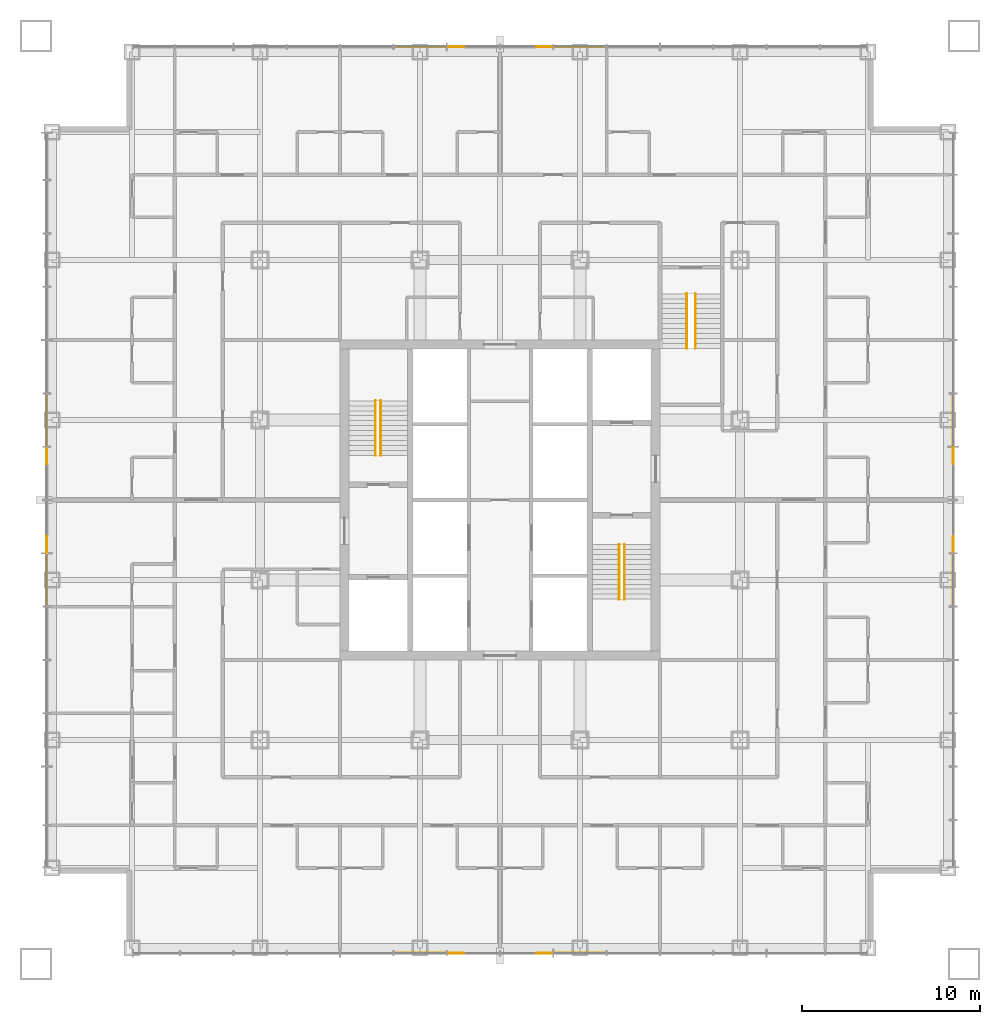
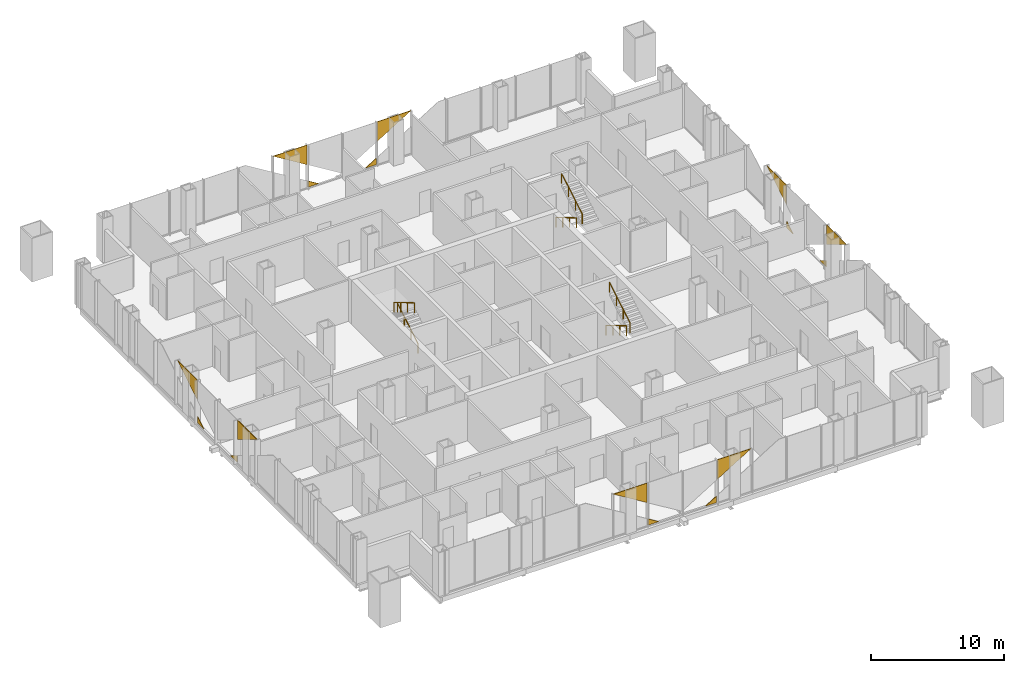
# One storey, part 13 of 13: 16 coverings, 6 railings.
"""IFC4 building model written with IfcOpenShell, lengths in metres."""

from ifc_helpers import new_model, si_unit, direction, frame, origin, origin_2d, place, context, subcontext, project, spatial, polyline, circle, outline, extrude, material, layer, layer_set, type_object, element, save


model = new_model("IFC4")

# Units and contexts
model_context = context("Model", 3, precision=1e-05, world=origin(), true_north=direction((0.0, 1.0)))
body_context = subcontext(model_context, "Body", "Model", "MODEL_VIEW")
ifc_project = project(units=[si_unit("LENGTHUNIT", "METRE"), si_unit("AREAUNIT", "SQUARE_METRE"), si_unit("VOLUMEUNIT", "CUBIC_METRE"), si_unit("PLANEANGLEUNIT", "RADIAN"), si_unit("MASSUNIT", "GRAM", prefix="KILO")], contexts=[model_context])

# Site, building, storey
site_placement = place(None, origin())
site = spatial("IfcSite", under=ifc_project, at=site_placement, CompositionType="ELEMENT")
building_placement = place(site_placement, origin())
building = spatial("IfcBuilding", under=site, at=building_placement, Name="Malebo Sky Hospital", CompositionType="ELEMENT")
storey_placement = place(building_placement, frame((0.0, 0.0, 47.0)))
storey = spatial("IfcBuildingStorey", under=building, at=storey_placement, Name="L10", CompositionType="ELEMENT", Elevation=47.0)

# Coverings
ifc_material_1 = material(Name="Anodised aluminium, natural silver insulated infill panel", Category="aluminium")
ifc_layer = layer(ifc_material_1, 0.0400390625)
ifc_layer_set = layer_set([ifc_layer], Name="BRACE INFILL PANEL 40")
covering_type = type_object("IfcCoveringType", Name="BRACE INFILL PANEL 40", PredefinedType="CLADDING", material=ifc_layer_set)
covering_1_placement = place(storey_placement, frame((55.5, 87.5, 2.19580078125), z_axis=(0.0, 0.0, 1.0), x_axis=(1.0, 0.0, 0.0)))
element("IfcCovering", 1, at=covering_1_placement, inside=storey, type_object=covering_type, Name="Brace infill panel 6.1", PredefinedType="CLADDING", context=body_context, shape_type="SweptSolid", body=[
    extrude(outline(polyline([(1.46240234375, 0.0), (1.46240234375, 1.794189453125), (-1.46240234375, 1.794189453125), (-1.46240234375, 1.793212890625), (1.46240234375, 0.0)])), frame((0.0, 0.02001953125, 0.0), z_axis=(0.0, -1.0, 0.0), x_axis=(1.0, 0.0, 0.0)), (0.0, 0.0, 1.0), 0.0400390625),
])
covering_2_placement = place(storey_placement, frame((57.5126953125, 87.5, 0.10009765625), z_axis=(0.0, 0.0, 1.0), x_axis=(1.0, 0.0, 0.0)))
element("IfcCovering", 2, at=covering_2_placement, inside=storey, type_object=covering_type, Name="Brace infill panel 7.1", PredefinedType="CLADDING", context=body_context, shape_type="SweptSolid", body=[
    extrude(outline(polyline([(-0.47509765625, 0.0), (0.47509765625, 0.0), (-0.47509765625, 0.58251953125), (-0.47509765625, 0.0)])), frame((0.0, 0.02001953125, 0.0), z_axis=(0.0, -1.0, 0.0), x_axis=(1.0, 0.0, 0.0)), (0.0, 0.0, 1.0), 0.0400390625),
])
covering_3_placement = place(storey_placement, frame((62.4873046875, 87.5, 0.10009765625), z_axis=(0.0, 0.0, 1.0), x_axis=(1.0, 0.0, 0.0)))
element("IfcCovering", 3, at=covering_3_placement, inside=storey, type_object=covering_type, Name="Brace infill panel 8.1", PredefinedType="CLADDING", context=body_context, shape_type="SweptSolid", body=[
    extrude(outline(polyline([(-0.47509765625, 0.0), (0.47509765625, 0.0), (0.47509765625, 0.58251953125), (-0.47509765625, 0.0)])), frame((0.0, 0.02001953125, 0.0), z_axis=(0.0, -1.0, 0.0), x_axis=(1.0, 0.0, 0.0)), (0.0, 0.0, 1.0), 0.0400390625),
])
covering_4_placement = place(storey_placement, frame((64.5, 87.5, 2.19580078125), z_axis=(0.0, 0.0, 1.0), x_axis=(1.0, 0.0, 0.0)))
element("IfcCovering", 4, at=covering_4_placement, inside=storey, type_object=covering_type, Name="Brace infill panel 9.1", PredefinedType="CLADDING", context=body_context, shape_type="SweptSolid", body=[
    extrude(outline(polyline([(-1.46240234375, 0.0), (1.46240234375, 1.793212890625), (1.46240234375, 1.794189453125), (-1.46240234375, 1.794189453125), (-1.46240234375, 0.0)])), frame((0.0, 0.02001953125, 0.0), z_axis=(0.0, -1.0, 0.0), x_axis=(1.0, 0.0, 0.0)), (0.0, 0.0, 1.0), 0.0400390625),
])
covering_5_placement = place(storey_placement, frame((34.5, 57.5, 2.19580078125), z_axis=(0.0, 0.0, 1.0), x_axis=(0.0, 1.0, 0.0)))
element("IfcCovering", 5, at=covering_5_placement, inside=storey, type_object=covering_type, Name="Brace infill panel 6.1", PredefinedType="CLADDING", context=body_context, shape_type="SweptSolid", body=[
    extrude(outline(polyline([(1.46240234375, 0.0), (1.46240234375, 1.794189453125), (-1.46240234375, 1.794189453125), (-1.46240234375, 1.793212890625), (1.46240234375, 0.0)])), frame((0.0, 0.02001953125, 0.0), z_axis=(0.0, -1.0, 0.0), x_axis=(1.0, 0.0, 0.0)), (0.0, 0.0, 1.0), 0.0400390625),
])
covering_6_placement = place(storey_placement, frame((34.5, 59.5126953125, 0.10009765625), z_axis=(0.0, 0.0, 1.0), x_axis=(0.0, 1.0, 0.0)))
element("IfcCovering", 6, at=covering_6_placement, inside=storey, type_object=covering_type, Name="Brace infill panel 7.1", PredefinedType="CLADDING", context=body_context, shape_type="SweptSolid", body=[
    extrude(outline(polyline([(-0.47509765625, 0.0), (0.47509765625, 0.0), (-0.47509765625, 0.58251953125), (-0.47509765625, 0.0)])), frame((0.0, 0.02001953125, 0.0), z_axis=(0.0, -1.0, 0.0), x_axis=(1.0, 0.0, 0.0)), (0.0, 0.0, 1.0), 0.0400390625),
])
covering_7_placement = place(storey_placement, frame((34.5, 64.4873046875, 0.10009765625), z_axis=(0.0, 0.0, 1.0), x_axis=(0.0, 1.0, 0.0)))
element("IfcCovering", 7, at=covering_7_placement, inside=storey, type_object=covering_type, Name="Brace infill panel 8.1", PredefinedType="CLADDING", context=body_context, shape_type="SweptSolid", body=[
    extrude(outline(polyline([(-0.47509765625, 0.0), (0.47509765625, 0.0), (0.47509765625, 0.58251953125), (-0.47509765625, 0.0)])), frame((0.0, 0.02001953125, 0.0), z_axis=(0.0, -1.0, 0.0), x_axis=(1.0, 0.0, 0.0)), (0.0, 0.0, 1.0), 0.0400390625),
])
covering_8_placement = place(storey_placement, frame((34.5, 66.5, 2.19580078125), z_axis=(0.0, 0.0, 1.0), x_axis=(0.0, 1.0, 0.0)))
element("IfcCovering", 8, at=covering_8_placement, inside=storey, type_object=covering_type, Name="Brace infill panel 9.1", PredefinedType="CLADDING", context=body_context, shape_type="SweptSolid", body=[
    extrude(outline(polyline([(-1.46240234375, 0.0), (1.46240234375, 1.793212890625), (1.46240234375, 1.794189453125), (-1.46240234375, 1.794189453125), (-1.46240234375, 0.0)])), frame((0.0, 0.02001953125, 0.0), z_axis=(0.0, -1.0, 0.0), x_axis=(1.0, 0.0, 0.0)), (0.0, 0.0, 1.0), 0.0400390625),
])
covering_9_placement = place(storey_placement, frame((64.5, 36.5, 2.19580078125), z_axis=(0.0, 0.0, 1.0), x_axis=(-1.0, 0.0, 0.0)))
element("IfcCovering", 9, at=covering_9_placement, inside=storey, type_object=covering_type, Name="Brace infill panel 6.1", PredefinedType="CLADDING", context=body_context, shape_type="SweptSolid", body=[
    extrude(outline(polyline([(1.46240234375, 0.0), (1.46240234375, 1.794189453125), (-1.46240234375, 1.794189453125), (-1.46240234375, 1.793212890625), (1.46240234375, 0.0)])), frame((0.0, 0.02001953125, 0.0), z_axis=(0.0, -1.0, 0.0), x_axis=(1.0, 0.0, 0.0)), (0.0, 0.0, 1.0), 0.0400390625),
])
covering_10_placement = place(storey_placement, frame((62.4873046875, 36.5, 0.10009765625), z_axis=(0.0, 0.0, 1.0), x_axis=(-1.0, 0.0, 0.0)))
element("IfcCovering", 10, at=covering_10_placement, inside=storey, type_object=covering_type, Name="Brace infill panel 7.1", PredefinedType="CLADDING", context=body_context, shape_type="SweptSolid", body=[
    extrude(outline(polyline([(-0.47509765625, 0.0), (0.47509765625, 0.0), (-0.47509765625, 0.58251953125), (-0.47509765625, 0.0)])), frame((0.0, 0.02001953125, 0.0), z_axis=(0.0, -1.0, 0.0), x_axis=(1.0, 0.0, 0.0)), (0.0, 0.0, 1.0), 0.0400390625),
])
covering_11_placement = place(storey_placement, frame((57.5126953125, 36.5, 0.10009765625), z_axis=(0.0, 0.0, 1.0), x_axis=(-1.0, 0.0, 0.0)))
element("IfcCovering", 11, at=covering_11_placement, inside=storey, type_object=covering_type, Name="Brace infill panel 8.1", PredefinedType="CLADDING", context=body_context, shape_type="SweptSolid", body=[
    extrude(outline(polyline([(-0.47509765625, 0.0), (0.47509765625, 0.0), (0.47509765625, 0.58251953125), (-0.47509765625, 0.0)])), frame((0.0, 0.02001953125, 0.0), z_axis=(0.0, -1.0, 0.0), x_axis=(1.0, 0.0, 0.0)), (0.0, 0.0, 1.0), 0.0400390625),
])
covering_12_placement = place(storey_placement, frame((55.5, 36.5, 2.19580078125), z_axis=(0.0, 0.0, 1.0), x_axis=(-1.0, 0.0, 0.0)))
element("IfcCovering", 12, at=covering_12_placement, inside=storey, type_object=covering_type, Name="Brace infill panel 9.1", PredefinedType="CLADDING", context=body_context, shape_type="SweptSolid", body=[
    extrude(outline(polyline([(-1.46240234375, 0.0), (1.46240234375, 1.793212890625), (1.46240234375, 1.794189453125), (-1.46240234375, 1.794189453125), (-1.46240234375, 0.0)])), frame((0.0, 0.02001953125, 0.0), z_axis=(0.0, -1.0, 0.0), x_axis=(1.0, 0.0, 0.0)), (0.0, 0.0, 1.0), 0.0400390625),
])
covering_13_placement = place(storey_placement, frame((85.5, 66.5, 2.19580078125), z_axis=(0.0, 0.0, 1.0), x_axis=(0.0, -1.0, 0.0)))
element("IfcCovering", 13, at=covering_13_placement, inside=storey, type_object=covering_type, Name="Brace infill panel 6.1", PredefinedType="CLADDING", context=body_context, shape_type="SweptSolid", body=[
    extrude(outline(polyline([(1.46240234375, 0.0), (1.46240234375, 1.794189453125), (-1.46240234375, 1.794189453125), (-1.46240234375, 1.793212890625), (1.46240234375, 0.0)])), frame((0.0, 0.02001953125, 0.0), z_axis=(0.0, -1.0, 0.0), x_axis=(1.0, 0.0, 0.0)), (0.0, 0.0, 1.0), 0.0400390625),
])
covering_14_placement = place(storey_placement, frame((85.5, 64.4873046875, 0.10009765625), z_axis=(0.0, 0.0, 1.0), x_axis=(0.0, -1.0, 0.0)))
element("IfcCovering", 14, at=covering_14_placement, inside=storey, type_object=covering_type, Name="Brace infill panel 7.1", PredefinedType="CLADDING", context=body_context, shape_type="SweptSolid", body=[
    extrude(outline(polyline([(-0.47509765625, 0.0), (0.47509765625, 0.0), (-0.47509765625, 0.58251953125), (-0.47509765625, 0.0)])), frame((0.0, 0.02001953125, 0.0), z_axis=(0.0, -1.0, 0.0), x_axis=(1.0, 0.0, 0.0)), (0.0, 0.0, 1.0), 0.0400390625),
])
covering_15_placement = place(storey_placement, frame((85.5, 59.5126953125, 0.10009765625), z_axis=(0.0, 0.0, 1.0), x_axis=(0.0, -1.0, 0.0)))
element("IfcCovering", 15, at=covering_15_placement, inside=storey, type_object=covering_type, Name="Brace infill panel 8.1", PredefinedType="CLADDING", context=body_context, shape_type="SweptSolid", body=[
    extrude(outline(polyline([(-0.47509765625, 0.0), (0.47509765625, 0.0), (0.47509765625, 0.58251953125), (-0.47509765625, 0.0)])), frame((0.0, 0.02001953125, 0.0), z_axis=(0.0, -1.0, 0.0), x_axis=(1.0, 0.0, 0.0)), (0.0, 0.0, 1.0), 0.0400390625),
])
covering_16_placement = place(storey_placement, frame((85.5, 57.5, 2.19580078125), z_axis=(0.0, 0.0, 1.0), x_axis=(0.0, -1.0, 0.0)))
element("IfcCovering", 16, at=covering_16_placement, inside=storey, type_object=covering_type, Name="Brace infill panel 9.1", PredefinedType="CLADDING", context=body_context, shape_type="SweptSolid", body=[
    extrude(outline(polyline([(-1.46240234375, 0.0), (1.46240234375, 1.793212890625), (1.46240234375, 1.794189453125), (-1.46240234375, 1.794189453125), (-1.46240234375, 0.0)])), frame((0.0, 0.02001953125, 0.0), z_axis=(0.0, -1.0, 0.0), x_axis=(1.0, 0.0, 0.0)), (0.0, 0.0, 1.0), 0.0400390625),
])

# Railings
ifc_material_2 = material(Name="Stainless steel tube", Category="steel")
railing_type = type_object("IfcRailingType", Name="STAIR HANDRAIL 900", PredefinedType="HANDRAIL", material=ifc_material_2)
railing_1_placement = place(storey_placement, frame((53.300048828125, 64.5, 0.166748046875)))
element("IfcRailing", 17, at=railing_1_placement, inside=storey, type_object=railing_type, Name="Stair handrail S1 flight 1", PredefinedType="HANDRAIL", context=body_context, shape_type="SweptSolid", body=[
    extrude(circle(Radius=0.02392578125, at=origin_2d()), frame((0.0, 0.0, 0.8759765625), z_axis=(0.0, 0.859308565015, 0.511457515432), x_axis=(-1.0, 0.0, 0.0)), (0.0, 0.0, 1.0), 3.58447265625),
    extrude(circle(Radius=0.02099609375, at=origin_2d()), origin(), (0.0, 0.0, 1.0), 0.851806640625),
    extrude(circle(Radius=0.02099609375, at=origin_2d()), frame((0.0, 1.026611328125, 0.611083984375)), (0.0, 0.0, 1.0), 0.851806640625),
    extrude(circle(Radius=0.02099609375, at=origin_2d()), frame((0.0, 2.053466796875, 1.22216796875)), (0.0, 0.0, 1.0), 0.851806640625),
    extrude(circle(Radius=0.02099609375, at=origin_2d()), frame((0.0, 3.080078125, 1.833251953125)), (0.0, 0.0, 1.0), 0.851806640625),
])
for number, where, name in (
    (18, (53.0, 67.580078125, 2.166748046875), "Stair handrail S1 flight 2"),
    (19, (66.699951171875, 59.5, 0.166748046875), "Stair handrail S2 flight 1"),
):
    element("IfcRailing", number, at=place(storey_placement, frame(where)), inside=storey, type_object=railing_type, Name=name, PredefinedType="HANDRAIL", context=body_context, shape_type="SweptSolid", body=[
        extrude(circle(Radius=0.02392578125, at=origin_2d()), frame((0.0, 0.0, 0.8759765625), z_axis=(0.0, -0.859308565015, 0.511457515432), x_axis=(1.0, 0.0, 0.0)), (0.0, 0.0, 1.0), 3.58447265625),
        extrude(circle(Radius=0.02099609375, at=origin_2d()), origin(), (0.0, 0.0, 1.0), 0.851806640625),
        extrude(circle(Radius=0.02099609375, at=origin_2d()), frame((0.0, -1.026611328125, 0.611083984375)), (0.0, 0.0, 1.0), 0.851806640625),
        extrude(circle(Radius=0.02099609375, at=origin_2d()), frame((0.0, -2.053466796875, 1.22216796875)), (0.0, 0.0, 1.0), 0.851806640625),
        extrude(circle(Radius=0.02099609375, at=origin_2d()), frame((0.0, -3.080078125, 1.833251953125)), (0.0, 0.0, 1.0), 0.851806640625),
    ])
railing_2_placement = place(storey_placement, frame((67.0, 56.419921875, 2.166748046875)))
element("IfcRailing", 20, at=railing_2_placement, inside=storey, type_object=railing_type, Name="Stair handrail S2 flight 2", PredefinedType="HANDRAIL", context=body_context, shape_type="SweptSolid", body=[
    extrude(circle(Radius=0.02392578125, at=origin_2d()), frame((0.0, 0.0, 0.8759765625), z_axis=(0.0, 0.859308565015, 0.511457515432), x_axis=(-1.0, 0.0, 0.0)), (0.0, 0.0, 1.0), 3.58447265625),
    extrude(circle(Radius=0.02099609375, at=origin_2d()), origin(), (0.0, 0.0, 1.0), 0.851806640625),
    extrude(circle(Radius=0.02099609375, at=origin_2d()), frame((0.0, 1.026611328125, 0.611083984375)), (0.0, 0.0, 1.0), 0.851806640625),
    extrude(circle(Radius=0.02099609375, at=origin_2d()), frame((0.0, 2.053466796875, 1.22216796875)), (0.0, 0.0, 1.0), 0.851806640625),
    extrude(circle(Radius=0.02099609375, at=origin_2d()), frame((0.0, 3.080078125, 1.833251953125)), (0.0, 0.0, 1.0), 0.851806640625),
])
railing_3_placement = place(storey_placement, frame((70.5, 73.60009765625, 0.166748046875)))
element("IfcRailing", 21, at=railing_3_placement, inside=storey, type_object=railing_type, Name="Stair handrail S3 flight 1", PredefinedType="HANDRAIL", context=body_context, shape_type="SweptSolid", body=[
    extrude(circle(Radius=0.02392578125, at=origin_2d()), frame((0.0, 0.0, 0.8759765625), z_axis=(0.0, -0.859308565015, 0.511457515432), x_axis=(1.0, 0.0, 0.0)), (0.0, 0.0, 1.0), 3.58447265625),
    extrude(circle(Radius=0.02099609375, at=origin_2d()), origin(), (0.0, 0.0, 1.0), 0.851806640625),
    extrude(circle(Radius=0.02099609375, at=origin_2d()), frame((0.0, -1.026611328125, 0.611083984375)), (0.0, 0.0, 1.0), 0.851806640625),
    extrude(circle(Radius=0.02099609375, at=origin_2d()), frame((0.0, -2.053466796875, 1.22216796875)), (0.0, 0.0, 1.0), 0.851806640625),
    extrude(circle(Radius=0.02099609375, at=origin_2d()), frame((0.0, -3.080078125, 1.833251953125)), (0.0, 0.0, 1.0), 0.851806640625),
])
railing_4_placement = place(storey_placement, frame((71.0, 70.52001953125, 2.166748046875)))
element("IfcRailing", 22, at=railing_4_placement, inside=storey, type_object=railing_type, Name="Stair handrail S3 flight 2", PredefinedType="HANDRAIL", context=body_context, shape_type="SweptSolid", body=[
    extrude(circle(Radius=0.02392578125, at=origin_2d()), frame((0.0, 0.0, 0.8759765625), z_axis=(0.0, 0.859308565015, 0.511457515432), x_axis=(-1.0, 0.0, 0.0)), (0.0, 0.0, 1.0), 3.58447265625),
    extrude(circle(Radius=0.02099609375, at=origin_2d()), origin(), (0.0, 0.0, 1.0), 0.851806640625),
    extrude(circle(Radius=0.02099609375, at=origin_2d()), frame((0.0, 1.026611328125, 0.611083984375)), (0.0, 0.0, 1.0), 0.851806640625),
    extrude(circle(Radius=0.02099609375, at=origin_2d()), frame((0.0, 2.053466796875, 1.22216796875)), (0.0, 0.0, 1.0), 0.851806640625),
    extrude(circle(Radius=0.02099609375, at=origin_2d()), frame((0.0, 3.080078125, 1.833251953125)), (0.0, 0.0, 1.0), 0.851806640625),
])

save(model, "model.ifc")
